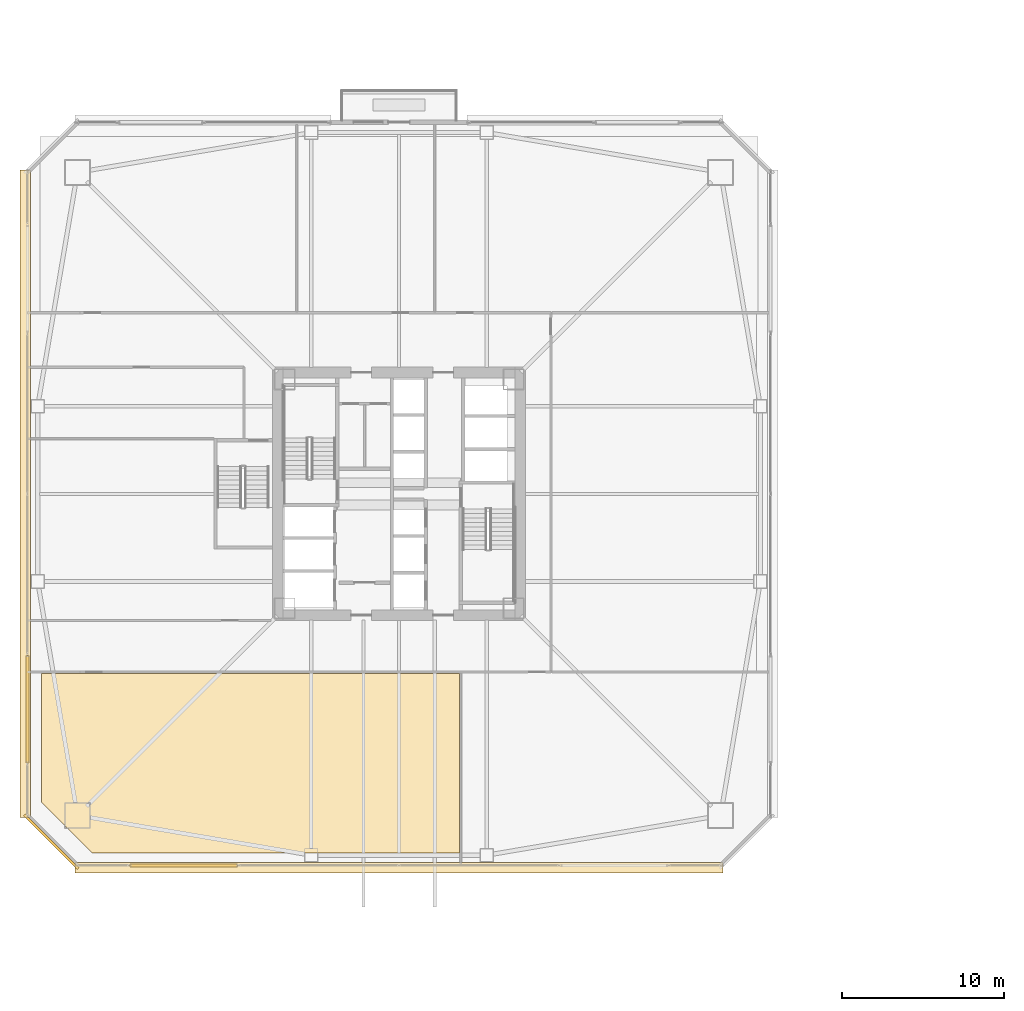
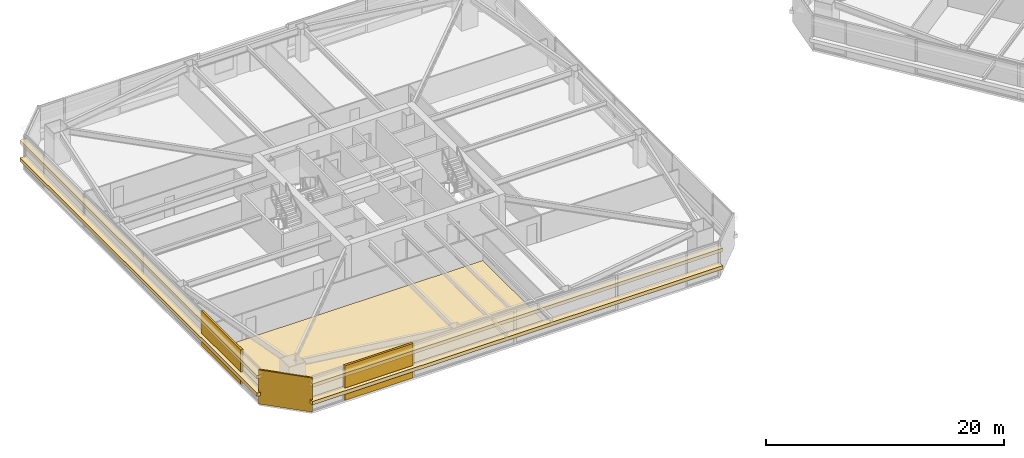
# One storey, part 42 of 48: 8 coverings.
"""IFC4 building model written with IfcOpenShell, lengths in metres."""

from ifc_helpers import new_model, si_unit, direction, frame, origin, origin_2d, place, context, subcontext, project, spatial, polyline, rectangle, outline, extrude, material, layer, layer_set, type_object, element, save


model = new_model("IFC4")

# Units and contexts
model_context = context("Model", 3, precision=1e-05, world=origin(), true_north=direction((0.0, 1.0)))
body_context = subcontext(model_context, "Body", "Model", "MODEL_VIEW")
ifc_project = project(units=[si_unit("LENGTHUNIT", "METRE"), si_unit("AREAUNIT", "SQUARE_METRE"), si_unit("VOLUMEUNIT", "CUBIC_METRE"), si_unit("PLANEANGLEUNIT", "RADIAN"), si_unit("MASSUNIT", "GRAM", prefix="KILO")], contexts=[model_context])

# Site, building, storey
site_placement = place(None, origin())
site = spatial("IfcSite", under=ifc_project, at=site_placement, CompositionType="ELEMENT")
building_placement = place(site_placement, origin())
building = spatial("IfcBuilding", under=site, at=building_placement, Name="Tashvorn Skyway Center", CompositionType="ELEMENT")
storey_placement = place(building_placement, frame((0.0, 0.0, 53.0)))
storey = spatial("IfcBuildingStorey", under=building, at=storey_placement, Name="L13", CompositionType="ELEMENT", Elevation=53.0)

# Coverings
ifc_material_1 = material(Name="Precast concrete C40/50", Category="concrete")
ifc_layer_1 = layer(ifc_material_1, 0.199951171875)
ifc_layer_set_1 = layer_set([ifc_layer_1], Name="Precast concrete C40/50")
covering_type_1 = type_object("IfcCoveringType", Name="COV-BRACE-CLAD", PredefinedType="CLADDING", material=ifc_layer_set_1)
for number, where, z_axis, x_axis, name in (
    (1, (28.74658203125, 9.1201171875, 0.0), (0.0, 0.0, 1.0), (-1.0, 0.0, 0.0), "Tower 1 L13 South Unitised Curtain Wall Mega-Brace Cladding Band 2"),
    (2, (19.1201171875, 18.74658203125, 0.0), (0.0, 0.0, 1.0), (0.0, 1.0, 0.0), "Tower 1 L13 West Unitised Curtain Wall Mega-Brace Cladding Band 1"),
):
    element("IfcCovering", number, at=place(storey_placement, frame(where, z_axis=z_axis, x_axis=x_axis)), inside=storey, type_object=covering_type_1, Name=name, PredefinedType="CLADDING", context=body_context, shape_type="SweptSolid", body=[
        extrude(rectangle(XDim=6.626708984375, YDim=0.199951171875, at=origin_2d()), origin(), (0.0, 0.0, 1.0), 3.550048828125),
    ])
ifc_material_2 = material(Name="Polished Mojave desert-aggregate terrazzo and cover plate")
ifc_layer_2 = layer(ifc_material_2, 0.0400390625)
ifc_layer_set_2 = layer_set([ifc_layer_2], Name="Polished Mojave desert-aggregate terrazzo and cover plate")
covering_type_2 = type_object("IfcCoveringType", Name="COV-FLR-40", PredefinedType="FLOORING", material=ifc_layer_set_2)
covering_1_placement = place(storey_placement, origin())
element("IfcCovering", 3, at=covering_1_placement, inside=storey, type_object=covering_type_2, Name="Tower 1 L13 Executive Study Lounge Finish Flooring", PredefinedType="FLOORING", context=body_context, shape_type="SweptSolid", body=[
    extrude(outline(polyline([(23.10009765625, 9.89990234375), (19.97998046875, 13.02001953125), (19.97998046875, 20.949951171875), (45.719970703125, 20.949951171875), (45.719970703125, 9.89990234375), (23.10009765625, 9.89990234375)])), origin(), (0.0, 0.0, 1.0), 0.0400390625),
])
ifc_material_3 = material(Name="Perforated ceramic-coated bronze aluminium solar screen", Category="aluminium")
ifc_layer_3 = layer(ifc_material_3, 0.85009765625)
ifc_layer_set_3 = layer_set([ifc_layer_3], Name="Perforated ceramic-coated bronze aluminium solar screen")
covering_type_3 = type_object("IfcCoveringType", Name="COV-SOLAR-BAND", PredefinedType="CLADDING", material=ifc_layer_set_3)
for number, where, z_axis, x_axis, name in (
    (4, (42.0, 8.97998046875, 0.919921875), (0.0, 0.0, 1.0), (-1.0, 0.0, 0.0), "L13 Perforated Ceramic-Metal Solar Screen Louvre Band South 1"),
    (5, (42.0, 8.97998046875, 2.7197265625), (0.0, 0.0, 1.0), (-1.0, 0.0, 0.0), "L13 Perforated Ceramic-Metal Solar Screen Louvre Band South 2"),
    (6, (18.97998046875, 32.0, 0.919921875), (0.0, 0.0, 1.0), (0.0, 1.0, 0.0), "L13 Perforated Ceramic-Metal Solar Screen Louvre Band West 1"),
    (7, (18.97998046875, 32.0, 2.7197265625), (0.0, 0.0, 1.0), (0.0, 1.0, 0.0), "L13 Perforated Ceramic-Metal Solar Screen Louvre Band West 2"),
):
    element("IfcCovering", number, at=place(storey_placement, frame(where, z_axis=z_axis, x_axis=x_axis)), inside=storey, type_object=covering_type_3, Name=name, PredefinedType="CLADDING", context=body_context, shape_type="SweptSolid", body=[
        extrude(rectangle(XDim=39.8798828125, YDim=0.639892578125, at=origin_2d()), origin(), (0.0, 0.0, 1.0), 0.360107421875),
    ])
ifc_layer_4 = layer(ifc_material_1, 0.35009765625)
ifc_layer_set_4 = layer_set([ifc_layer_4], Name="Precast concrete C40/50")
covering_type_4 = type_object("IfcCoveringType", Name="COV-STONE-TRIM", PredefinedType="CLADDING", material=ifc_layer_set_4)
covering_2_placement = place(storey_placement, frame((20.580078125, 10.580078125, 0.02001953125), z_axis=(0.0, 0.0, 1.0), x_axis=(-0.707106781187, 0.707106781187, 0.0)))
element("IfcCovering", 8, at=covering_2_placement, inside=storey, type_object=covering_type_4, Name="Tower 1 L13 SW Mojave Limestone Corner Quoin", PredefinedType="CLADDING", context=body_context, shape_type="SweptSolid", body=[
    extrude(rectangle(XDim=4.685546875, YDim=0.139892578125, at=origin_2d()), origin(), (0.0, 0.0, 1.0), 3.510009765625),
])

save(model, "model.ifc")
